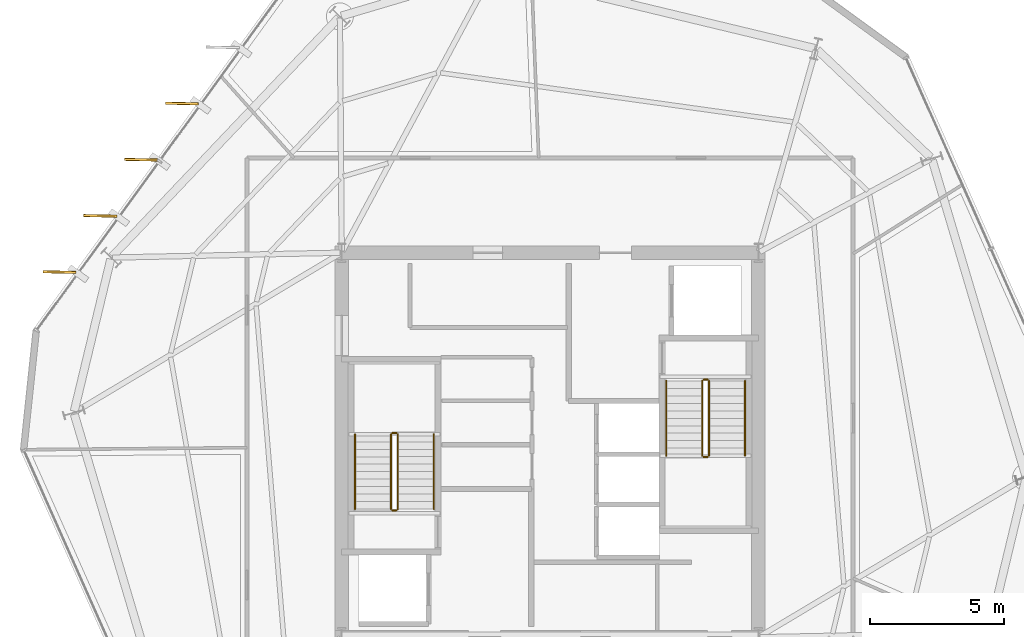
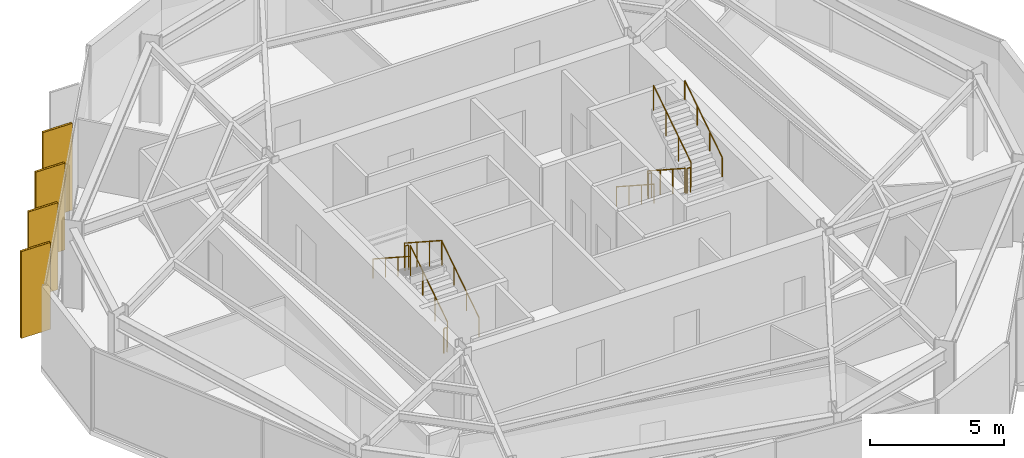
# One storey, part 11 of 12: 12 railings, 4 coverings, 4 shading devices.
"""IFC4 building model written with IfcOpenShell, lengths in metres."""

from ifc_helpers import new_model, si_unit, direction, frame, origin, origin_2d, place, context, subcontext, project, spatial, rectangle, circle, extrude, material, layer, layer_set, type_object, element, save


model = new_model("IFC4")

# Units and contexts
model_context = context("Model", 3, precision=1e-05, world=origin(), true_north=direction((0.0, 1.0)))
body_context = subcontext(model_context, "Body", "Model", "MODEL_VIEW")
ifc_project = project(units=[si_unit("LENGTHUNIT", "METRE"), si_unit("AREAUNIT", "SQUARE_METRE"), si_unit("VOLUMEUNIT", "CUBIC_METRE"), si_unit("PLANEANGLEUNIT", "RADIAN"), si_unit("MASSUNIT", "GRAM", prefix="KILO")], contexts=[model_context])

# Site, building, storey
site_placement = place(None, origin())
site = spatial("IfcSite", under=ifc_project, at=site_placement, CompositionType="ELEMENT")
building_placement = place(site_placement, origin())
building = spatial("IfcBuilding", under=site, at=building_placement, Name="Kranzbogen Civic Tower", CompositionType="ELEMENT")
storey_placement = place(building_placement, frame((0.0, 0.0, 240.800048828125)))
storey = spatial("IfcBuildingStorey", under=building, at=storey_placement, Name="L58", CompositionType="ELEMENT", Elevation=240.800048828125)

# Coverings
ifc_material_1 = material(Name="Pale Anodised Aluminium", Category="aluminium")
ifc_layer = layer(ifc_material_1, 0.02490234375, Name="Pale Anodised Aluminium")
ifc_layer_set = layer_set([ifc_layer], Name="Pale Anodised Aluminium")
covering_type = type_object("IfcCoveringType", Name="Anodised Aluminium Vertical Fin Cladding 25 mm", PredefinedType="CLADDING", material=ifc_layer_set)
for number, where, z_axis, x_axis, name in (
    (1, (11.219970703125, 37.784912109375, -0.14013671875), (0.0, 0.0, 1.0), (-0.999798228055, 0.020087388558, 0.0), "L58 vertical fin pale-metal cladding F2-2"),
    (2, (9.69189453125, 35.680908203125, -0.14013671875), (0.0, 0.0, 1.0), (-0.999798228055, 0.020087388558, 0.0), "L58 vertical fin pale-metal cladding F2-3"),
    (3, (8.1630859375, 33.577880859375, -0.14013671875), (0.0, 0.0, 1.0), (-0.999798228055, 0.020087388558, 0.0), "L58 vertical fin pale-metal cladding F2-4"),
    (4, (6.635009765625, 31.47412109375, -0.14013671875), (0.0, 0.0, 1.0), (-0.999798228055, 0.020087388558, 0.0), "L58 vertical fin pale-metal cladding F2-5"),
):
    element("IfcCovering", number, at=place(storey_placement, frame(where, z_axis=z_axis, x_axis=x_axis)), inside=storey, type_object=covering_type, Name=name, PredefinedType="CLADDING", context=body_context, shape_type="SweptSolid", body=[
        extrude(rectangle(XDim=1.25, YDim=0.10009765625, at=origin_2d()), origin(), (0.0, 0.0, 1.0), 3.9599609375),
    ])

# Shading devices
ifc_material_2 = material(Name="Anodised Bronze Aluminium", Category="aluminium")
shading_device_type = type_object("IfcShadingDeviceType", Name="Anodised Bronze Vertical Facade Fin 1250x80", PredefinedType="USERDEFINED", material=ifc_material_2)
for number, where, z_axis, x_axis, name in (
    (5, (11.219970703125, 37.784912109375, -0.14013671875), (0.0, 0.0, 1.0), (-0.999798228055, 0.020087388558, 0.0), "L58 vertical exterior shading fin F2-2"),
    (6, (9.69189453125, 35.680908203125, -0.14013671875), (0.0, 0.0, 1.0), (-0.999798228055, 0.020087388558, 0.0), "L58 vertical exterior shading fin F2-3"),
    (7, (8.1630859375, 33.577880859375, -0.14013671875), (0.0, 0.0, 1.0), (-0.999798228055, 0.020087388558, 0.0), "L58 vertical exterior shading fin F2-4"),
    (8, (6.635009765625, 31.47412109375, -0.14013671875), (0.0, 0.0, 1.0), (-0.999798228055, 0.020087388558, 0.0), "L58 vertical exterior shading fin F2-5"),
):
    element("IfcShadingDevice", number, at=place(storey_placement, frame(where, z_axis=z_axis, x_axis=x_axis)), inside=storey, type_object=shading_device_type, Name=name, ObjectType="FIN", PredefinedType="USERDEFINED", context=body_context, shape_type="SweptSolid", body=[
        extrude(rectangle(XDim=1.25, YDim=0.080078125, at=origin_2d()), origin(), (0.0, 0.0, 1.0), 3.9599609375),
    ])

# Railings
ifc_material_3 = material(Name="Steel S355", Category="steel")
railing_type_1 = type_object("IfcRailingType", Name="Internal Stair and Void Steel Guardrail 1150", PredefinedType="GUARDRAIL", material=ifc_material_3)
railing_1_placement = place(storey_placement, frame((19.300048828125, 22.60009765625, 0.181884765625)))
element("IfcRailing", 9, at=railing_1_placement, inside=storey, type_object=railing_type_1, Name="L58 ST-T1 stair guard 1", PredefinedType="GUARDRAIL", context=body_context, shape_type="SweptSolid", body=[
    extrude(circle(Radius=0.02392578125, at=origin_2d()), frame((0.0, 0.0, 1.1259765625), z_axis=(0.0, 0.83868413941, 0.544618136222), x_axis=(-1.0, 0.0, 0.0)), (0.0, 0.0, 1.0), 3.33837890625),
    extrude(circle(Radius=0.02099609375, at=origin_2d()), origin(), (0.0, 0.0, 1.0), 1.101806640625),
    extrude(circle(Radius=0.02099609375, at=origin_2d()), frame((0.0, 0.933349609375, 0.60595703125)), (0.0, 0.0, 1.0), 1.101806640625),
    extrude(circle(Radius=0.02099609375, at=origin_2d()), frame((0.0, 1.866455078125, 1.212158203125)), (0.0, 0.0, 1.0), 1.101806640625),
    extrude(circle(Radius=0.02099609375, at=origin_2d()), frame((0.0, 2.7998046875, 1.818115234375)), (0.0, 0.0, 1.0), 1.101806640625),
])
railing_2_placement = place(storey_placement, frame((19.25, 25.449951171875, 2.0)))
element("IfcRailing", 10, at=railing_2_placement, inside=storey, type_object=railing_type_1, Name="L58 ST-T1 stair guard 2", PredefinedType="GUARDRAIL", context=body_context, shape_type="SweptSolid", body=[
    extrude(circle(Radius=0.02392578125, at=origin_2d()), frame((0.0, 0.0, 1.1259765625), z_axis=(-1.0, 0.0, 0.0), x_axis=(0.0, -1.0, 0.0)), (0.0, 0.0, 1.0), 0.14990234375),
    extrude(circle(Radius=0.02099609375, at=origin_2d()), origin(), (0.0, 0.0, 1.0), 1.101806640625),
    extrude(circle(Radius=0.02099609375, at=origin_2d()), frame((-0.14990234375, 0.0, 0.0)), (0.0, 0.0, 1.0), 1.101806640625),
])
railing_3_placement = place(storey_placement, frame((19.050048828125, 25.39990234375, 2.181884765625)))
element("IfcRailing", 11, at=railing_3_placement, inside=storey, type_object=railing_type_1, Name="L58 ST-T1 stair guard 3", PredefinedType="GUARDRAIL", context=body_context, shape_type="SweptSolid", body=[
    extrude(circle(Radius=0.02392578125, at=origin_2d()), frame((0.0, 0.0, 1.1259765625), z_axis=(0.0, -0.83868413941, 0.544618136222), x_axis=(1.0, 0.0, 0.0)), (0.0, 0.0, 1.0), 3.33837890625),
    extrude(circle(Radius=0.02099609375, at=origin_2d()), origin(), (0.0, 0.0, 1.0), 1.101806640625),
    extrude(circle(Radius=0.02099609375, at=origin_2d()), frame((0.0, -0.933349609375, 0.60595703125)), (0.0, 0.0, 1.0), 1.101806640625),
    extrude(circle(Radius=0.02099609375, at=origin_2d()), frame((0.0, -1.866455078125, 1.212158203125)), (0.0, 0.0, 1.0), 1.101806640625),
    extrude(circle(Radius=0.02099609375, at=origin_2d()), frame((0.0, -2.7998046875, 1.818115234375)), (0.0, 0.0, 1.0), 1.101806640625),
])
railing_4_placement = place(storey_placement, frame((19.25, 22.550048828125, 0.0)))
element("IfcRailing", 12, at=railing_4_placement, inside=storey, type_object=railing_type_1, Name="L58 ST-T1 stair guard 4", PredefinedType="GUARDRAIL", context=body_context, shape_type="SweptSolid", body=[
    extrude(circle(Radius=0.02392578125, at=origin_2d()), frame((0.0, 0.0, 1.1259765625), z_axis=(-1.0, 0.0, 0.0), x_axis=(0.0, -1.0, 0.0)), (0.0, 0.0, 1.0), 0.14990234375),
    extrude(circle(Radius=0.02099609375, at=origin_2d()), origin(), (0.0, 0.0, 1.0), 1.101806640625),
    extrude(circle(Radius=0.02099609375, at=origin_2d()), frame((-0.14990234375, 0.0, 0.0)), (0.0, 0.0, 1.0), 1.101806640625),
])
railing_5_placement = place(storey_placement, frame((30.699951171875, 27.39990234375, 0.181884765625)))
element("IfcRailing", 13, at=railing_5_placement, inside=storey, type_object=railing_type_1, Name="L58 ST-T2 stair guard 1", PredefinedType="GUARDRAIL", context=body_context, shape_type="SweptSolid", body=[
    extrude(circle(Radius=0.02392578125, at=origin_2d()), frame((0.0, 0.0, 1.1259765625), z_axis=(0.0, -0.83868413941, 0.544618136222), x_axis=(1.0, 0.0, 0.0)), (0.0, 0.0, 1.0), 3.33837890625),
    extrude(circle(Radius=0.02099609375, at=origin_2d()), origin(), (0.0, 0.0, 1.0), 1.101806640625),
    extrude(circle(Radius=0.02099609375, at=origin_2d()), frame((0.0, -0.933349609375, 0.60595703125)), (0.0, 0.0, 1.0), 1.101806640625),
    extrude(circle(Radius=0.02099609375, at=origin_2d()), frame((0.0, -1.866455078125, 1.212158203125)), (0.0, 0.0, 1.0), 1.101806640625),
    extrude(circle(Radius=0.02099609375, at=origin_2d()), frame((0.0, -2.7998046875, 1.818115234375)), (0.0, 0.0, 1.0), 1.101806640625),
])
railing_6_placement = place(storey_placement, frame((30.75, 24.550048828125, 2.0)))
element("IfcRailing", 14, at=railing_6_placement, inside=storey, type_object=railing_type_1, Name="L58 ST-T2 stair guard 2", PredefinedType="GUARDRAIL", context=body_context, shape_type="SweptSolid", body=[
    extrude(circle(Radius=0.02392578125, at=origin_2d()), frame((0.0, 0.0, 1.1259765625), z_axis=(1.0, 0.0, 0.0), x_axis=(0.0, 1.0, 0.0)), (0.0, 0.0, 1.0), 0.14990234375),
    extrude(circle(Radius=0.02099609375, at=origin_2d()), origin(), (0.0, 0.0, 1.0), 1.101806640625),
    extrude(circle(Radius=0.02099609375, at=origin_2d()), frame((0.14990234375, 0.0, 0.0)), (0.0, 0.0, 1.0), 1.101806640625),
])
railing_7_placement = place(storey_placement, frame((30.949951171875, 24.60009765625, 2.181884765625)))
element("IfcRailing", 15, at=railing_7_placement, inside=storey, type_object=railing_type_1, Name="L58 ST-T2 stair guard 3", PredefinedType="GUARDRAIL", context=body_context, shape_type="SweptSolid", body=[
    extrude(circle(Radius=0.02392578125, at=origin_2d()), frame((0.0, 0.0, 1.1259765625), z_axis=(0.0, 0.83868413941, 0.544618136222), x_axis=(-1.0, 0.0, 0.0)), (0.0, 0.0, 1.0), 3.33837890625),
    extrude(circle(Radius=0.02099609375, at=origin_2d()), origin(), (0.0, 0.0, 1.0), 1.101806640625),
    extrude(circle(Radius=0.02099609375, at=origin_2d()), frame((0.0, 0.933349609375, 0.60595703125)), (0.0, 0.0, 1.0), 1.101806640625),
    extrude(circle(Radius=0.02099609375, at=origin_2d()), frame((0.0, 1.866455078125, 1.212158203125)), (0.0, 0.0, 1.0), 1.101806640625),
    extrude(circle(Radius=0.02099609375, at=origin_2d()), frame((0.0, 2.7998046875, 1.818115234375)), (0.0, 0.0, 1.0), 1.101806640625),
])
railing_8_placement = place(storey_placement, frame((30.75, 27.449951171875, 0.0)))
element("IfcRailing", 16, at=railing_8_placement, inside=storey, type_object=railing_type_1, Name="L58 ST-T2 stair guard 4", PredefinedType="GUARDRAIL", context=body_context, shape_type="SweptSolid", body=[
    extrude(circle(Radius=0.02392578125, at=origin_2d()), frame((0.0, 0.0, 1.1259765625), z_axis=(1.0, 0.0, 0.0), x_axis=(0.0, 1.0, 0.0)), (0.0, 0.0, 1.0), 0.14990234375),
    extrude(circle(Radius=0.02099609375, at=origin_2d()), origin(), (0.0, 0.0, 1.0), 1.101806640625),
    extrude(circle(Radius=0.02099609375, at=origin_2d()), frame((0.14990234375, 0.0, 0.0)), (0.0, 0.0, 1.0), 1.101806640625),
])
railing_type_2 = type_object("IfcRailingType", Name="Tubular Stainless Stair Wall Handrail 900", PredefinedType="HANDRAIL", material=ifc_material_1)
railing_9_placement = place(storey_placement, frame((20.64990234375, 22.60009765625, 0.181884765625)))
element("IfcRailing", 17, at=railing_9_placement, inside=storey, type_object=railing_type_2, Name="L58 ST-T1 stair handrail 1", PredefinedType="HANDRAIL", context=body_context, shape_type="SweptSolid", body=[
    extrude(circle(Radius=0.02392578125, at=origin_2d()), frame((0.0, 0.0, 0.8759765625), z_axis=(0.0, 0.83868413941, 0.544618136222), x_axis=(-1.0, 0.0, 0.0)), (0.0, 0.0, 1.0), 3.33837890625),
    extrude(circle(Radius=0.02099609375, at=origin_2d()), origin(), (0.0, 0.0, 1.0), 0.851806640625),
    extrude(circle(Radius=0.02099609375, at=origin_2d()), frame((0.0, 0.933349609375, 0.60595703125)), (0.0, 0.0, 1.0), 0.851806640625),
    extrude(circle(Radius=0.02099609375, at=origin_2d()), frame((0.0, 1.866455078125, 1.212158203125)), (0.0, 0.0, 1.0), 0.851806640625),
    extrude(circle(Radius=0.02099609375, at=origin_2d()), frame((0.0, 2.7998046875, 1.818115234375)), (0.0, 0.0, 1.0), 0.851806640625),
])
for number, where, name in (
    (18, (17.699951171875, 25.39990234375, 2.181884765625), "L58 ST-T1 stair handrail 2"),
    (19, (29.35009765625, 27.39990234375, 0.181884765625), "L58 ST-T2 stair handrail 1"),
):
    element("IfcRailing", number, at=place(storey_placement, frame(where)), inside=storey, type_object=railing_type_2, Name=name, PredefinedType="HANDRAIL", context=body_context, shape_type="SweptSolid", body=[
        extrude(circle(Radius=0.02392578125, at=origin_2d()), frame((0.0, 0.0, 0.8759765625), z_axis=(0.0, -0.83868413941, 0.544618136222), x_axis=(1.0, 0.0, 0.0)), (0.0, 0.0, 1.0), 3.33837890625),
        extrude(circle(Radius=0.02099609375, at=origin_2d()), origin(), (0.0, 0.0, 1.0), 0.851806640625),
        extrude(circle(Radius=0.02099609375, at=origin_2d()), frame((0.0, -0.933349609375, 0.60595703125)), (0.0, 0.0, 1.0), 0.851806640625),
        extrude(circle(Radius=0.02099609375, at=origin_2d()), frame((0.0, -1.866455078125, 1.212158203125)), (0.0, 0.0, 1.0), 0.851806640625),
        extrude(circle(Radius=0.02099609375, at=origin_2d()), frame((0.0, -2.7998046875, 1.818115234375)), (0.0, 0.0, 1.0), 0.851806640625),
    ])
railing_10_placement = place(storey_placement, frame((32.300048828125, 24.60009765625, 2.181884765625)))
element("IfcRailing", 20, at=railing_10_placement, inside=storey, type_object=railing_type_2, Name="L58 ST-T2 stair handrail 2", PredefinedType="HANDRAIL", context=body_context, shape_type="SweptSolid", body=[
    extrude(circle(Radius=0.02392578125, at=origin_2d()), frame((0.0, 0.0, 0.8759765625), z_axis=(0.0, 0.83868413941, 0.544618136222), x_axis=(-1.0, 0.0, 0.0)), (0.0, 0.0, 1.0), 3.33837890625),
    extrude(circle(Radius=0.02099609375, at=origin_2d()), origin(), (0.0, 0.0, 1.0), 0.851806640625),
    extrude(circle(Radius=0.02099609375, at=origin_2d()), frame((0.0, 0.933349609375, 0.60595703125)), (0.0, 0.0, 1.0), 0.851806640625),
    extrude(circle(Radius=0.02099609375, at=origin_2d()), frame((0.0, 1.866455078125, 1.212158203125)), (0.0, 0.0, 1.0), 0.851806640625),
    extrude(circle(Radius=0.02099609375, at=origin_2d()), frame((0.0, 2.7998046875, 1.818115234375)), (0.0, 0.0, 1.0), 0.851806640625),
])

save(model, "model.ifc")
